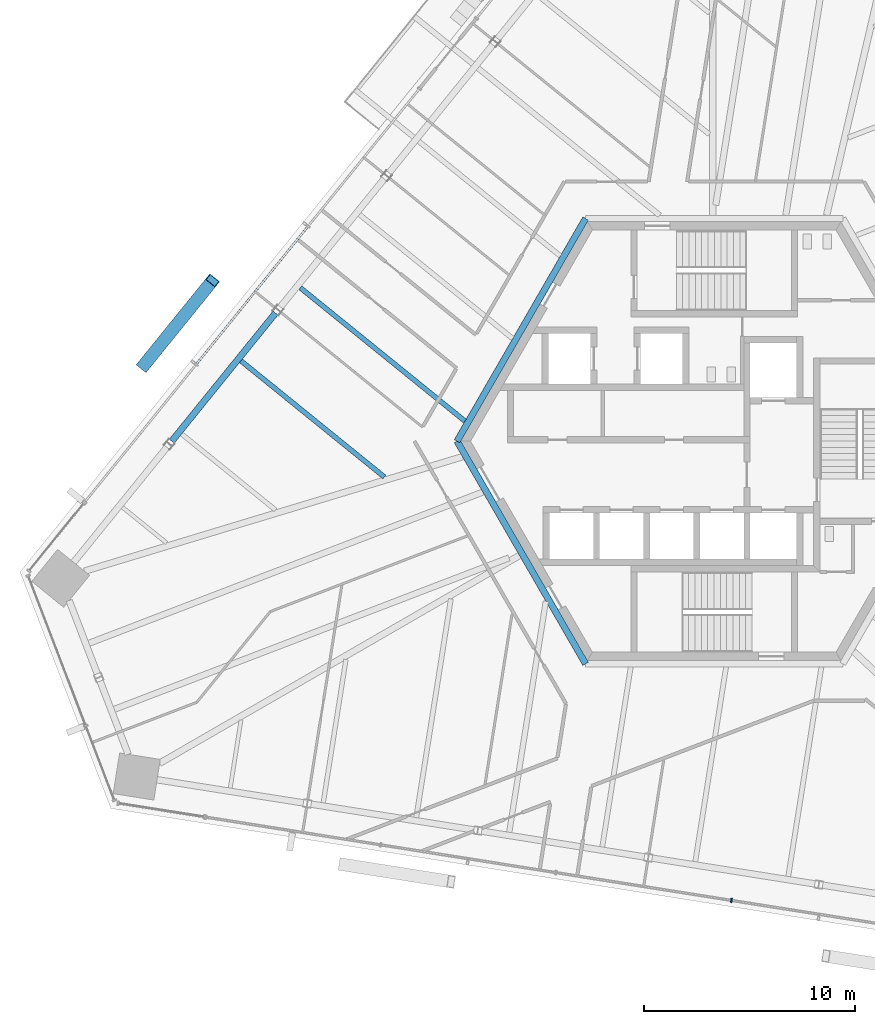
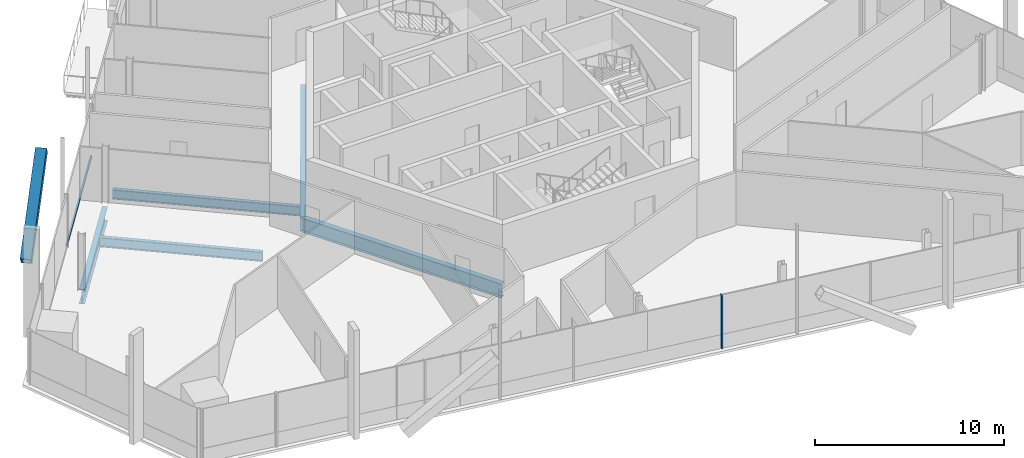
# One storey, part 5 of 21: 5 beams, 3 members, 2 elements without a shape of their own.
"""IFC4 building model written with IfcOpenShell, lengths in metres."""

from ifc_helpers import new_model, si_unit, direction, frame, origin, origin_2d, place, context, subcontext, project, spatial, rectangle, hollow_rectangle, i_section, extrude, source, transform, mapped, material, material_profile, profile_set, type_object, element, aggregate, save


model = new_model("IFC4")

# Units and contexts
model_context = context("Model", 3, precision=1e-05, world=origin(), true_north=direction((0.0, 1.0)))
body_context = subcontext(model_context, "Body", "Model", "MODEL_VIEW")
ifc_project = project(units=[si_unit("LENGTHUNIT", "METRE"), si_unit("AREAUNIT", "SQUARE_METRE"), si_unit("VOLUMEUNIT", "CUBIC_METRE"), si_unit("PLANEANGLEUNIT", "RADIAN"), si_unit("MASSUNIT", "GRAM", prefix="KILO")], contexts=[model_context])

# Site, building, storey
site_placement = place(None, origin())
site = spatial("IfcSite", under=ifc_project, at=site_placement, CompositionType="ELEMENT")
building_placement = place(site_placement, origin())
building = spatial("IfcBuilding", under=site, at=building_placement, Name="Triune Harvest Tower", CompositionType="ELEMENT")
storey_placement = place(building_placement, frame((0.0, 0.0, 146.10009765625)))
storey = spatial("IfcBuildingStorey", under=building, at=storey_placement, Name="L37", CompositionType="ELEMENT", Elevation=146.10009765625)

# Beams
ifc_material_1 = material(Name="Steel ASTM A992 Gr 50", Category="steel")
ifc_material_profile_1 = material_profile(ifc_material_1, i_section(OverallWidth=0.3046875, OverallDepth=0.914306640625, WebThickness=0.0166015625, FlangeThickness=0.02587890625, at=origin_2d()), Name="W36x160")
ifc_profile_set_1 = profile_set([ifc_material_profile_1], Name="Steel ASTM A992 Gr 50")
beam_type_1 = type_object("IfcBeamType", Name="CG-1 Core ring girder W36x160", PredefinedType="BEAM", material=ifc_profile_set_1)
shared_shape_1 = source(origin(), body_context, "Body", "SweptSolid", [
    extrude(i_section(OverallWidth=0.3046875, OverallDepth=0.914306640625, WebThickness=0.0166015625, FlangeThickness=0.02587890625, at=origin_2d()), origin(), (0.0, 0.0, 1.0), 12.176025390625),
])
for number, where, z_axis, x_axis, name in (
    (1, (-6.087890625, 10.544677734375, -0.6171875), (-0.5000099932, -0.866019634131, 0.0), (0.866019634131, -0.5000099932, 0.0), "beam/L37/CG3"),
    (2, (-12.176025390625, 0.0, -0.6171875), (0.5000099932, -0.866019634131, 0.0), (0.866019634131, 0.5000099932, 0.0), "beam/L37/CG4"),
):
    element("IfcBeam", number, at=place(storey_placement, frame(where, z_axis=z_axis, x_axis=x_axis)), inside=storey, type_object=beam_type_1, Name=name, PredefinedType="BEAM", context=body_context, shape_type="MappedRepresentation", body=[
        mapped(shared_shape_1, transform((0.0, 0.0, 0.0), scale=1.0)),
    ])
ifc_material_2 = material(Name="Steel ASTM A992 Gr 50", Category="steel")
ifc_material_profile_2 = material_profile(ifc_material_2, i_section(OverallWidth=0.3046875, OverallDepth=0.914306640625, WebThickness=0.0166015625, FlangeThickness=0.02587890625, at=origin_2d()), Name="W36x160")
ifc_profile_set_2 = profile_set([ifc_material_profile_2], Name="Steel ASTM A992 Gr 50")
beam_type_2 = type_object("IfcBeamType", Name="SB-1 Spandrel beam W36x160", PredefinedType="SPANDREL", material=ifc_profile_set_2)
shared_shape_2 = source(origin(), body_context, "Body", "SweptSolid", [
    extrude(i_section(OverallWidth=0.3046875, OverallDepth=0.914306640625, WebThickness=0.0166015625, FlangeThickness=0.02587890625, at=origin_2d()), origin(), (0.0, 0.0, 1.0), 7.8017578125),
])
beam_1_placement = place(storey_placement, frame((-20.775390625, 6.064208984375, -0.6171875), z_axis=(-0.629335951387, -0.777133360686, 0.0), x_axis=(0.777133360686, -0.629335951387, 0.0)))
element("IfcBeam", 3, at=beam_1_placement, inside=storey, type_object=beam_type_2, Name="beam/L37/SB13", PredefinedType="SPANDREL", context=body_context, shape_type="MappedRepresentation", body=[
    mapped(shared_shape_2, transform((0.0, 0.0, 0.0), scale=1.0)),
])
ifc_material_3 = material(Name="Steel ASTM A992 Gr 50", Category="steel")
ifc_material_profile_3 = material_profile(ifc_material_3, i_section(OverallWidth=0.22900390625, OverallDepth=0.612060546875, WebThickness=0.011962890625, FlangeThickness=0.01953125, at=origin_2d()), Name="W24x84")
ifc_profile_set_3 = profile_set([ifc_material_profile_3], Name="Steel ASTM A992 Gr 50")
beam_type_3 = type_object("IfcBeamType", Name="JT-3 Floor joist W24x84", PredefinedType="JOIST", material=ifc_profile_set_3)
shared_shape_3 = source(origin(), body_context, "Body", "SweptSolid", [
    extrude(i_section(OverallWidth=0.22900390625, OverallDepth=0.612060546875, WebThickness=0.011962890625, FlangeThickness=0.01953125, at=origin_2d()), origin(), (0.0, 0.0, 1.0), 8.738037109375),
])
beam_2_placement = place(storey_placement, frame((-22.410400390625, 3.802978515625, -0.46630859375), z_axis=(0.777147913906, -0.629317979968, 0.0), x_axis=(0.629317979968, 0.777147913906, 0.0)))
element("IfcBeam", 4, at=beam_2_placement, inside=storey, type_object=beam_type_3, Name="beam/L37/JT20", PredefinedType="JOIST", context=body_context, shape_type="MappedRepresentation", body=[
    mapped(shared_shape_3, transform((0.0, 0.0, 0.0), scale=1.0)),
])
shared_shape_4 = source(origin(), body_context, "Body", "SweptSolid", [
    extrude(i_section(OverallWidth=0.22900390625, OverallDepth=0.612060546875, WebThickness=0.011962890625, FlangeThickness=0.01953125, at=origin_2d()), origin(), (0.0, 0.0, 1.0), 10.0380859375),
])
beam_3_placement = place(storey_placement, frame((-19.60400390625, 7.268310546875, -0.46630859375), z_axis=(0.777146308943, -0.629319961941, 0.0), x_axis=(0.629319961941, 0.777146308943, 0.0)))
element("IfcBeam", 5, at=beam_3_placement, inside=storey, type_object=beam_type_3, Name="beam/L37/JT19", PredefinedType="JOIST", context=body_context, shape_type="MappedRepresentation", body=[
    mapped(shared_shape_4, transform((0.0, 0.0, 0.0), scale=1.0)),
])

# Member
ifc_material_4 = material(Name="Steel ASTM A572 Gr 50", Category="steel")
ifc_material_profile_4 = material_profile(ifc_material_4, hollow_rectangle(XDim=0.60009765625, YDim=0.60009765625, WallThickness=0.0400390625, at=origin_2d()), Name="Box 600x600x40")
ifc_profile_set_4 = profile_set([ifc_material_profile_4], Name="Steel ASTM A572 Gr 50")
member_type_1 = type_object("IfcMemberType", Name="BR-2 Brace Box 600x600x40", PredefinedType="BRACE", material=ifc_profile_set_4)
shared_shape_5 = source(origin(), body_context, "Body", "SweptSolid", [
    extrude(hollow_rectangle(XDim=0.60009765625, YDim=0.60009765625, WallThickness=0.0400390625, at=origin_2d()), origin(), (0.0, 0.0, 1.0), 6.3291015625),
])
member_1_placement = place(storey_placement, frame((-27.033203125, 3.5625, 0.0), z_axis=(0.517630104527, 0.639178093152, 0.568779781746), x_axis=(-0.777125808993, 0.629345276456, 0.0)))
element("IfcMember", 6, at=member_1_placement, inside=storey, type_object=member_type_1, Name="brace/B4-F3/d2/3", PredefinedType="BRACE", context=body_context, shape_type="MappedRepresentation", body=[
    mapped(shared_shape_5, transform((0.0, 0.0, 0.0), scale=1.0)),
])

# Curtain wall, member
ifc_material_5 = material(Name="Aluminium bronze anodised", Category="aluminium")
curtain_wall_type_1 = type_object("IfcCurtainWallType", Name="CW-7 Tower stick curtain wall with insulated spandrel infill", PredefinedType="NOTDEFINED", material=ifc_material_5)
curtain_wall_1_placement = place(storey_placement, origin())
curtain_wall_1 = element("IfcCurtainWall", 7, at=curtain_wall_1_placement, inside=storey, type_object=curtain_wall_type_1, Name="CW-7 B4-F5 L37 run 1001")
ifc_material_6 = material(Name="Aluminium bronze anodised", Category="aluminium")
ifc_material_profile_5 = material_profile(ifc_material_6, rectangle(XDim=0.199951171875, YDim=0.074951171875, at=origin_2d()), Name="MU-1 mullion 75 x 200")
ifc_profile_set_5 = profile_set([ifc_material_profile_5], Name="Aluminium bronze anodised")
member_type_2 = type_object("IfcMemberType", Name="MU-1 mullion 75 x 200", PredefinedType="MULLION", material=ifc_profile_set_5)
shared_shape_6 = source(origin(), body_context, "Body", "SweptSolid", [
    extrude(rectangle(XDim=0.199951171875, YDim=0.074951171875, at=origin_2d()), origin(), (0.0, 0.0, 1.0), 3.43994140625),
])
member_2_placement = place(storey_placement, frame((0.814453125, -21.745849609375, 0.0), z_axis=(0.0, 0.0, 1.0), x_axis=(0.156433077296, 0.987688560391, 0.0)))
member_2 = element("IfcMember", 8, at=member_2_placement, type_object=member_type_2, Name="CW-7 mullion B4-F5 1001.7", PredefinedType="MULLION", context=body_context, shape_type="MappedRepresentation", body=[
    mapped(shared_shape_6, transform((0.0, 0.0, 0.0), scale=1.0)),
])
aggregate(curtain_wall_1, [member_2])

ifc_material_7 = material(Name="Aluminium bronze anodised", Category="aluminium")
curtain_wall_type_2 = type_object("IfcCurtainWallType", Name="CW-10 Balcony window wall with insulated spandrel infill", PredefinedType="NOTDEFINED", material=ifc_material_7)
curtain_wall_2_placement = place(storey_placement, origin())
curtain_wall_2 = element("IfcCurtainWall", 9, at=curtain_wall_2_placement, inside=storey, type_object=curtain_wall_type_2, Name="CW-10 B4-F3 L37 run 2")
ifc_material_8 = material(Name="Aluminium bronze anodised", Category="aluminium")
ifc_material_profile_6 = material_profile(ifc_material_8, rectangle(XDim=0.090087890625, YDim=0.14990234375, at=origin_2d()), Name="TR-6 transom 90 x 150")
ifc_profile_set_6 = profile_set([ifc_material_profile_6], Name="Aluminium bronze anodised")
member_type_3 = type_object("IfcMemberType", Name="TR-6 transom 90 x 150", PredefinedType="USERDEFINED", material=ifc_profile_set_6)
shared_shape_7 = source(origin(), body_context, "Body", "SweptSolid", [
    extrude(rectangle(XDim=0.090087890625, YDim=0.14990234375, at=origin_2d()), origin(), (0.0, 0.0, 1.0), 8.341552734375),
])
member_3_placement = place(storey_placement, frame((-19.25634765625, 10.146728515625, 0.074951171875), z_axis=(-0.629348926783, -0.777122852808, 0.0), x_axis=(0.777122852808, -0.629348926783, 0.0)))
member_3 = element("IfcMember", 10, at=member_3_placement, type_object=member_type_3, Name="CW-10 transom B4-F3 2.2", ObjectType="TRANSOM", PredefinedType="USERDEFINED", context=body_context, shape_type="MappedRepresentation", body=[
    mapped(shared_shape_7, transform((0.0, 0.0, 0.0), scale=1.0)),
])
aggregate(curtain_wall_2, [member_3])

save(model, "model.ifc")
